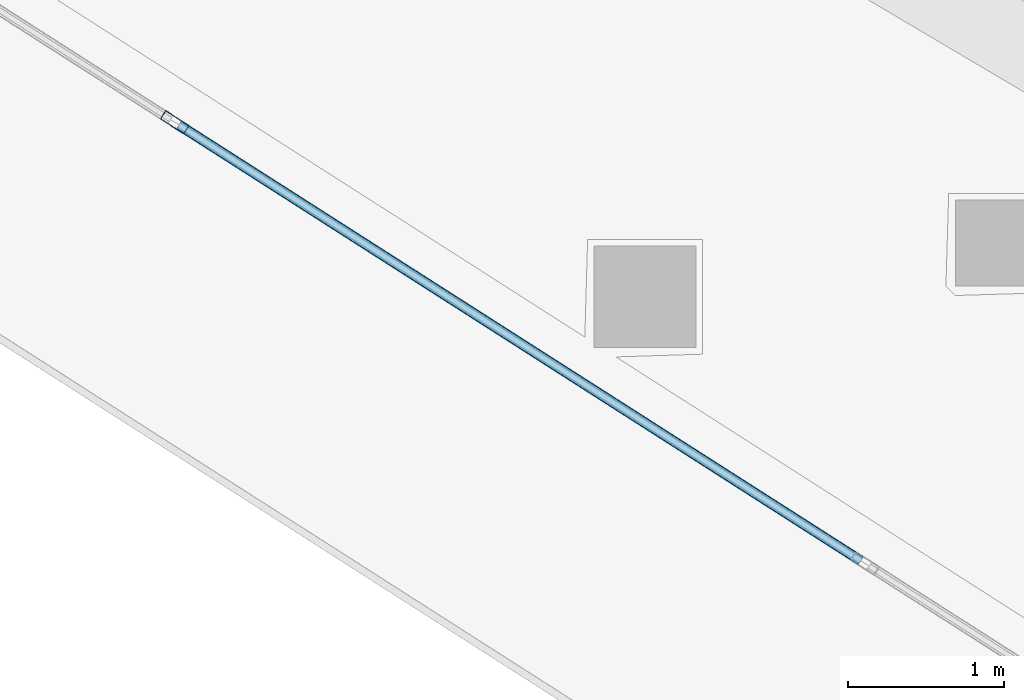
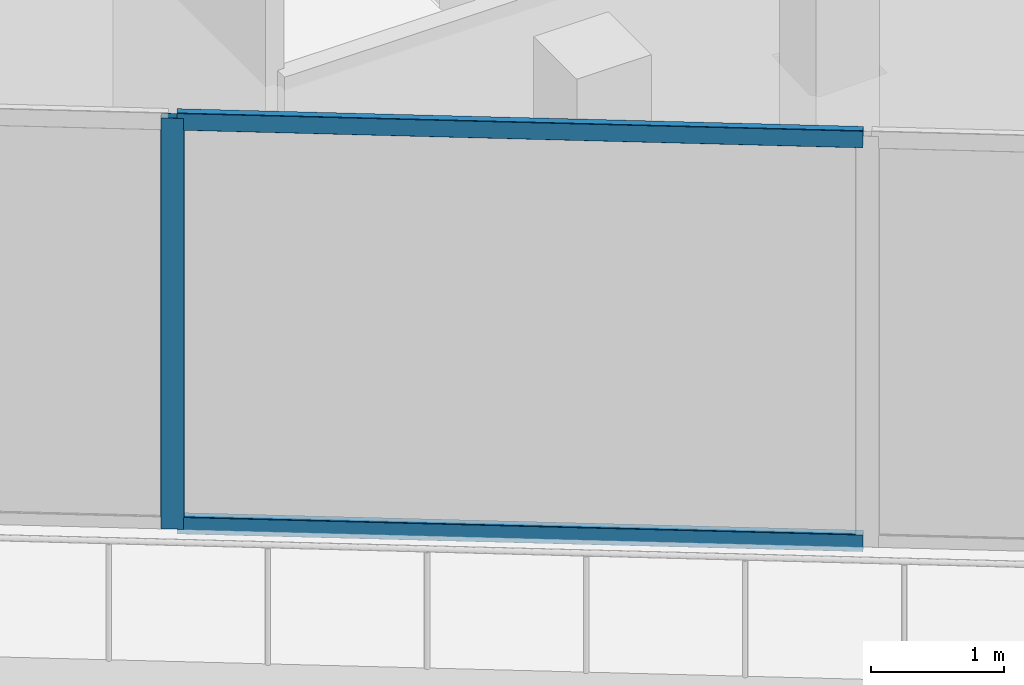
# One storey, part 3 of 30: 3 members, 1 element without a shape of its own.
"""IFC4 building model written with IfcOpenShell, lengths in metres."""

from ifc_helpers import new_model, si_unit, direction, frame, origin, origin_2d, place, context, subcontext, project, spatial, hollow_rectangle, extrude, material, layer, layer_set, material_profile, profile_set, type_object, element, aggregate, save


model = new_model("IFC4")

# Units and contexts
model_context = context("Model", 3, precision=1e-05, world=origin(), true_north=direction((0.0, 1.0)))
body_context = subcontext(model_context, "Body", "Model", "MODEL_VIEW")
ifc_project = project(units=[si_unit("LENGTHUNIT", "METRE"), si_unit("AREAUNIT", "SQUARE_METRE"), si_unit("VOLUMEUNIT", "CUBIC_METRE"), si_unit("PLANEANGLEUNIT", "RADIAN"), si_unit("MASSUNIT", "GRAM", prefix="KILO")], contexts=[model_context])

# Site, building, storey
site_placement = place(None, origin())
site = spatial("IfcSite", under=ifc_project, at=site_placement, CompositionType="ELEMENT")
building_placement = place(site_placement, origin())
building = spatial("IfcBuilding", under=site, at=building_placement, Name="Qorvath Tower", CompositionType="ELEMENT")
storey_placement = place(building_placement, frame((0.0, 0.0, 217.199951171875)))
storey = spatial("IfcBuildingStorey", under=building, at=storey_placement, Name="L50", CompositionType="ELEMENT", Elevation=217.199951171875)

# Curtain wall, members
ifc_material_1 = material(Name="Anodised aluminium and triple low-E glass", Category="aluminium")
ifc_layer = layer(ifc_material_1, 0.179931640625)
ifc_layer_set = layer_set([ifc_layer], Name="CW-SYS-3")
curtain_wall_type = type_object("IfcCurtainWallType", Name="CW-SYS-3", PredefinedType="NOTDEFINED", material=ifc_layer_set)
curtain_wall_placement = place(storey_placement, origin())
curtain_wall = element("IfcCurtainWall", 1, at=curtain_wall_placement, inside=storey, type_object=curtain_wall_type, Name="Curtain Wall CW-3 CW-T-L50-2.2", PredefinedType="NOTDEFINED")
ifc_material_2 = material(Name="Anodised aluminium 6063-T6", Category="aluminium")
ifc_material_profile_1 = material_profile(ifc_material_2, hollow_rectangle(XDim=0.06494140625, YDim=0.179931640625, WallThickness=0.00341796875, InnerFilletRadius=0.00341796875, OuterFilletRadius=0.007080078125, at=origin_2d()), Name="CWM 180x65")
ifc_profile_set_1 = profile_set([ifc_material_profile_1], Name="Anodised aluminium 6063-T6")
member_type_1 = type_object("IfcMemberType", Name="CWM-180", PredefinedType="MULLION", material=ifc_profile_set_1)
member_1_placement = place(storey_placement, frame((-39.374267578125, -12.018798828125, 0.0), z_axis=(0.0, 0.0, 1.0), x_axis=(0.538534785809, 0.842603278224, 0.0)))
member_1 = element("IfcMember", 2, at=member_1_placement, type_object=member_type_1, Name="CW-3 mullion 3", PredefinedType="MULLION", context=body_context, shape_type="SweptSolid", body=[
    extrude(hollow_rectangle(XDim=0.06494140625, YDim=0.179931640625, WallThickness=0.00341796875, InnerFilletRadius=0.00341796875, OuterFilletRadius=0.007080078125, at=origin_2d()), origin(), (0.0, 0.0, 1.0), 3.780029296875),
])
ifc_material_3 = material(Name="Anodised aluminium 6063-T6", Category="aluminium")
ifc_material_profile_2 = material_profile(ifc_material_3, hollow_rectangle(XDim=0.06494140625, YDim=0.159912109375, WallThickness=0.00341796875, InnerFilletRadius=0.00341796875, OuterFilletRadius=0.007080078125, at=origin_2d()), Name="CWT 160x65")
ifc_profile_set_2 = profile_set([ifc_material_profile_2], Name="Anodised aluminium 6063-T6")
member_type_2 = type_object("IfcMemberType", Name="CWT-160", PredefinedType="USERDEFINED", material=ifc_profile_set_2)
member_2_placement = place(storey_placement, frame((-39.346923828125, -12.036376953125, 0.032470703125), z_axis=(0.842603535115, -0.538534383871, 0.0), x_axis=(0.538534383871, 0.842603535115, 0.0)))
member_2 = element("IfcMember", 3, at=member_2_placement, type_object=member_type_2, Name="CW-3 transom 3.1", ObjectType="TRANSOM", PredefinedType="USERDEFINED", context=body_context, shape_type="SweptSolid", body=[
    extrude(hollow_rectangle(XDim=0.06494140625, YDim=0.159912109375, WallThickness=0.00341796875, InnerFilletRadius=0.00341796875, OuterFilletRadius=0.007080078125, at=origin_2d()), origin(), (0.0, 0.0, 1.0), 5.17724609375),
])
member_3_placement = place(storey_placement, frame((-39.346923828125, -12.036376953125, 3.74755859375), z_axis=(0.842603535115, -0.538534383871, 0.0), x_axis=(0.538534383871, 0.842603535115, 0.0)))
member_3 = element("IfcMember", 4, at=member_3_placement, type_object=member_type_2, Name="CW-3 transom 3.2", ObjectType="TRANSOM", PredefinedType="USERDEFINED", context=body_context, shape_type="SweptSolid", body=[
    extrude(hollow_rectangle(XDim=0.06494140625, YDim=0.159912109375, WallThickness=0.00341796875, InnerFilletRadius=0.00341796875, OuterFilletRadius=0.007080078125, at=origin_2d()), origin(), (0.0, 0.0, 1.0), 5.17724609375),
])
aggregate(curtain_wall, [member_1, member_2, member_3])

save(model, "model.ifc")
